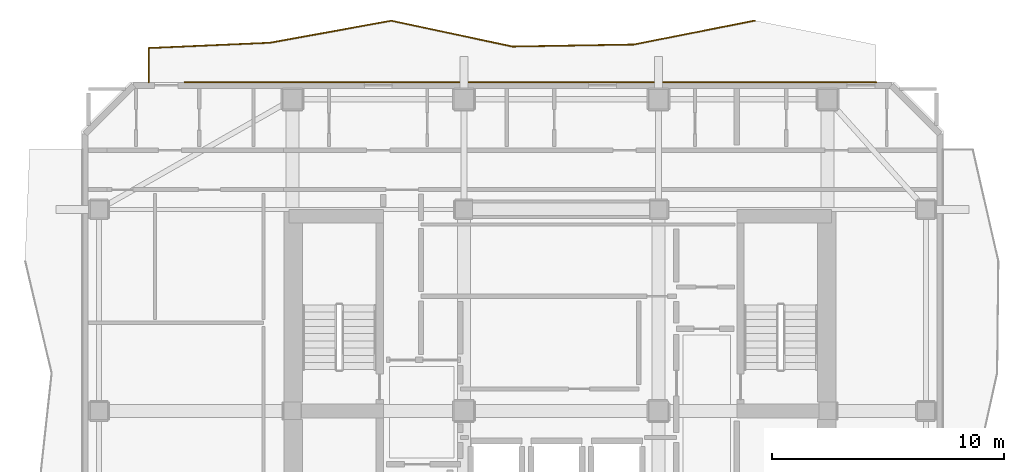
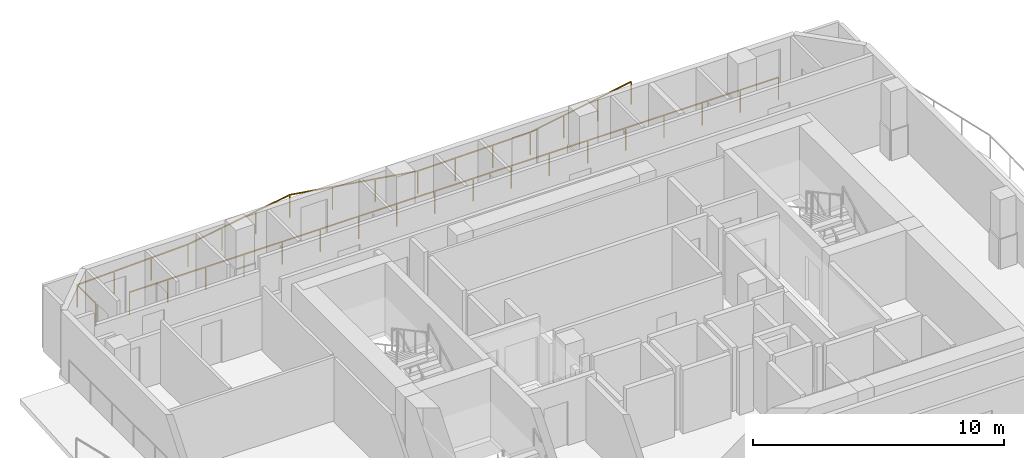
# One storey, part 10 of 10: 2 railings.
"""IFC4 building model written with IfcOpenShell, lengths in metres."""

from ifc_helpers import new_model, si_unit, direction, frame, origin, origin_2d, place, context, subcontext, project, spatial, rectangle, extrude, material, type_object, element, save


model = new_model("IFC4")

# Units and contexts
model_context = context("Model", 3, precision=1e-05, world=origin(), true_north=direction((0.0, 1.0)))
body_context = subcontext(model_context, "Body", "Model", "MODEL_VIEW")
ifc_project = project(units=[si_unit("LENGTHUNIT", "METRE"), si_unit("AREAUNIT", "SQUARE_METRE"), si_unit("VOLUMEUNIT", "CUBIC_METRE"), si_unit("PLANEANGLEUNIT", "RADIAN"), si_unit("MASSUNIT", "GRAM", prefix="KILO")], contexts=[model_context])

# Site, building, storey
site_placement = place(None, origin())
site = spatial("IfcSite", under=ifc_project, at=site_placement, CompositionType="ELEMENT")
building_placement = place(site_placement, origin())
building = spatial("IfcBuilding", under=site, at=building_placement, Name="Solanera Arch Residences", CompositionType="ELEMENT")
storey_placement = place(building_placement, frame((0.0, 0.0, 203.43994140625)))
storey = spatial("IfcBuildingStorey", under=building, at=storey_placement, Name="L59", CompositionType="ELEMENT", Elevation=203.43994140625)

# Railings
ifc_material = material(Name="Steel S355 (ASTM A992 / A572 Grade 50)", Category="steel")
railing_type = type_object("IfcRailingType", Name="Balustrade Railing BL-1100", PredefinedType="BALUSTRADE", material=ifc_material)
railing_1_placement = place(storey_placement, frame((33.366943359375, 47.550048828125, 0.0)))
element("IfcRailing", 1, at=railing_1_placement, inside=storey, type_object=railing_type, Name="L59 N Balcony Balustrade 1", PredefinedType="BALUSTRADE", context=body_context, shape_type="SweptSolid", body=[
    extrude(rectangle(XDim=0.048095703125, YDim=0.048095703125, at=origin_2d()), frame((0.0, 0.0, 1.09619140625), z_axis=(-0.981110388087, -0.193448717718, 0.0), x_axis=(0.193448717718, -0.981110388087, 0.0)), (0.0, 0.0, 1.0), 5.334716796875),
    extrude(rectangle(XDim=0.048095703125, YDim=0.048095703125, at=origin_2d()), frame((-5.23388671875, -1.031982421875, 1.09619140625), z_axis=(-0.999858210178, -0.016839226213, 0.0), x_axis=(0.016839226213, -0.999858210178, 0.0)), (0.0, 0.0, 1.0), 5.23388671875),
    extrude(rectangle(XDim=0.048095703125, YDim=0.048095703125, at=origin_2d()), frame((-10.467041015625, -1.1201171875, 1.09619140625), z_axis=(-0.97808200956, 0.20822003404, 0.0), x_axis=(-0.20822003404, -0.97808200956, 0.0)), (0.0, 0.0, 1.0), 5.35009765625),
    extrude(rectangle(XDim=0.048095703125, YDim=0.048095703125, at=origin_2d()), frame((-15.699951171875, -0.006103515625, 1.09619140625), z_axis=(-0.983924939032, -0.178582514123, 0.0), x_axis=(0.178582514123, -0.983924939032, 0.0)), (0.0, 0.0, 1.0), 5.3193359375),
    extrude(rectangle(XDim=0.048095703125, YDim=0.048095703125, at=origin_2d()), frame((-20.933837890625, -0.9560546875, 1.09619140625), z_axis=(-0.999043895172, -0.043718365928, 0.0), x_axis=(0.043718365928, -0.999043895172, 0.0)), (0.0, 0.0, 1.0), 5.23828125),
    extrude(rectangle(XDim=0.048095703125, YDim=0.048095703125, at=origin_2d()), frame((-26.1669921875, -1.18505859375, 1.09619140625), z_axis=(0.0, -1.0, 0.0), x_axis=(1.0, 0.0, 0.0)), (0.0, 0.0, 1.0), 1.485107421875),
    extrude(rectangle(XDim=0.0419921875, YDim=0.0419921875, at=origin_2d()), origin(), (0.0, 0.0, 1.0), 1.072021484375),
    extrude(rectangle(XDim=0.0419921875, YDim=0.0419921875, at=origin_2d()), frame((-1.74462890625, -0.343994140625, 0.0)), (0.0, 0.0, 1.0), 1.072021484375),
    extrude(rectangle(XDim=0.0419921875, YDim=0.0419921875, at=origin_2d()), frame((-3.4892578125, -0.68798828125, 0.0)), (0.0, 0.0, 1.0), 1.072021484375),
    extrude(rectangle(XDim=0.0419921875, YDim=0.0419921875, at=origin_2d()), frame((-5.23388671875, -1.031982421875, 0.0)), (0.0, 0.0, 1.0), 1.072021484375),
    extrude(rectangle(XDim=0.0419921875, YDim=0.0419921875, at=origin_2d()), frame((-6.978271484375, -1.061279296875, 0.0)), (0.0, 0.0, 1.0), 1.072021484375),
    extrude(rectangle(XDim=0.0419921875, YDim=0.0419921875, at=origin_2d()), frame((-8.72265625, -1.0908203125, 0.0)), (0.0, 0.0, 1.0), 1.072021484375),
    extrude(rectangle(XDim=0.0419921875, YDim=0.0419921875, at=origin_2d()), frame((-10.467041015625, -1.1201171875, 0.0)), (0.0, 0.0, 1.0), 1.072021484375),
    extrude(rectangle(XDim=0.0419921875, YDim=0.0419921875, at=origin_2d()), frame((-12.21142578125, -0.748779296875, 0.0)), (0.0, 0.0, 1.0), 1.072021484375),
    extrude(rectangle(XDim=0.0419921875, YDim=0.0419921875, at=origin_2d()), frame((-13.95556640625, -0.37744140625, 0.0)), (0.0, 0.0, 1.0), 1.072021484375),
    extrude(rectangle(XDim=0.0419921875, YDim=0.0419921875, at=origin_2d()), frame((-15.699951171875, -0.006103515625, 0.0)), (0.0, 0.0, 1.0), 1.072021484375),
    extrude(rectangle(XDim=0.0419921875, YDim=0.0419921875, at=origin_2d()), frame((-17.444580078125, -0.32275390625, 0.0)), (0.0, 0.0, 1.0), 1.072021484375),
    extrude(rectangle(XDim=0.0419921875, YDim=0.0419921875, at=origin_2d()), frame((-19.189208984375, -0.639404296875, 0.0)), (0.0, 0.0, 1.0), 1.072021484375),
    extrude(rectangle(XDim=0.0419921875, YDim=0.0419921875, at=origin_2d()), frame((-20.933837890625, -0.9560546875, 0.0)), (0.0, 0.0, 1.0), 1.072021484375),
    extrude(rectangle(XDim=0.0419921875, YDim=0.0419921875, at=origin_2d()), frame((-22.67822265625, -1.032470703125, 0.0)), (0.0, 0.0, 1.0), 1.072021484375),
    extrude(rectangle(XDim=0.0419921875, YDim=0.0419921875, at=origin_2d()), frame((-24.422607421875, -1.108642578125, 0.0)), (0.0, 0.0, 1.0), 1.072021484375),
    extrude(rectangle(XDim=0.0419921875, YDim=0.0419921875, at=origin_2d()), frame((-26.1669921875, -1.18505859375, 0.0)), (0.0, 0.0, 1.0), 1.072021484375),
    extrude(rectangle(XDim=0.0419921875, YDim=0.0419921875, at=origin_2d()), frame((-26.1669921875, -2.670166015625, 0.0)), (0.0, 0.0, 1.0), 1.072021484375),
])
railing_2_placement = place(storey_placement, frame((8.751953125, 44.8798828125, 0.0)))
element("IfcRailing", 2, at=railing_2_placement, inside=storey, type_object=railing_type, Name="L59 N Balcony Balustrade 2", PredefinedType="BALUSTRADE", context=body_context, shape_type="SweptSolid", body=[
    extrude(rectangle(XDim=0.048095703125, YDim=0.048095703125, at=origin_2d()), frame((0.0, 0.0, 1.09619140625), z_axis=(1.0, 0.0, 0.0), x_axis=(0.0, 1.0, 0.0)), (0.0, 0.0, 1.0), 29.84814453125),
    extrude(rectangle(XDim=0.0419921875, YDim=0.0419921875, at=origin_2d()), origin(), (0.0, 0.0, 1.0), 1.072021484375),
    extrude(rectangle(XDim=0.0419921875, YDim=0.0419921875, at=origin_2d()), frame((1.755859375, 0.0, 0.0)), (0.0, 0.0, 1.0), 1.072021484375),
    extrude(rectangle(XDim=0.0419921875, YDim=0.0419921875, at=origin_2d()), frame((3.511474609375, 0.0, 0.0)), (0.0, 0.0, 1.0), 1.072021484375),
    extrude(rectangle(XDim=0.0419921875, YDim=0.0419921875, at=origin_2d()), frame((5.267333984375, 0.0, 0.0)), (0.0, 0.0, 1.0), 1.072021484375),
    extrude(rectangle(XDim=0.0419921875, YDim=0.0419921875, at=origin_2d()), frame((7.023193359375, 0.0, 0.0)), (0.0, 0.0, 1.0), 1.072021484375),
    extrude(rectangle(XDim=0.0419921875, YDim=0.0419921875, at=origin_2d()), frame((8.77880859375, 0.0, 0.0)), (0.0, 0.0, 1.0), 1.072021484375),
    extrude(rectangle(XDim=0.0419921875, YDim=0.0419921875, at=origin_2d()), frame((10.53466796875, 0.0, 0.0)), (0.0, 0.0, 1.0), 1.072021484375),
    extrude(rectangle(XDim=0.0419921875, YDim=0.0419921875, at=origin_2d()), frame((12.29052734375, 0.0, 0.0)), (0.0, 0.0, 1.0), 1.072021484375),
    extrude(rectangle(XDim=0.0419921875, YDim=0.0419921875, at=origin_2d()), frame((14.046142578125, 0.0, 0.0)), (0.0, 0.0, 1.0), 1.072021484375),
    extrude(rectangle(XDim=0.0419921875, YDim=0.0419921875, at=origin_2d()), frame((15.802001953125, 0.0, 0.0)), (0.0, 0.0, 1.0), 1.072021484375),
    extrude(rectangle(XDim=0.0419921875, YDim=0.0419921875, at=origin_2d()), frame((17.5576171875, 0.0, 0.0)), (0.0, 0.0, 1.0), 1.072021484375),
    extrude(rectangle(XDim=0.0419921875, YDim=0.0419921875, at=origin_2d()), frame((19.3134765625, 0.0, 0.0)), (0.0, 0.0, 1.0), 1.072021484375),
    extrude(rectangle(XDim=0.0419921875, YDim=0.0419921875, at=origin_2d()), frame((21.0693359375, 0.0, 0.0)), (0.0, 0.0, 1.0), 1.072021484375),
    extrude(rectangle(XDim=0.0419921875, YDim=0.0419921875, at=origin_2d()), frame((22.824951171875, 0.0, 0.0)), (0.0, 0.0, 1.0), 1.072021484375),
    extrude(rectangle(XDim=0.0419921875, YDim=0.0419921875, at=origin_2d()), frame((24.580810546875, 0.0, 0.0)), (0.0, 0.0, 1.0), 1.072021484375),
    extrude(rectangle(XDim=0.0419921875, YDim=0.0419921875, at=origin_2d()), frame((26.336669921875, 0.0, 0.0)), (0.0, 0.0, 1.0), 1.072021484375),
    extrude(rectangle(XDim=0.0419921875, YDim=0.0419921875, at=origin_2d()), frame((28.09228515625, 0.0, 0.0)), (0.0, 0.0, 1.0), 1.072021484375),
    extrude(rectangle(XDim=0.0419921875, YDim=0.0419921875, at=origin_2d()), frame((29.84814453125, 0.0, 0.0)), (0.0, 0.0, 1.0), 1.072021484375),
])

save(model, "model.ifc")
